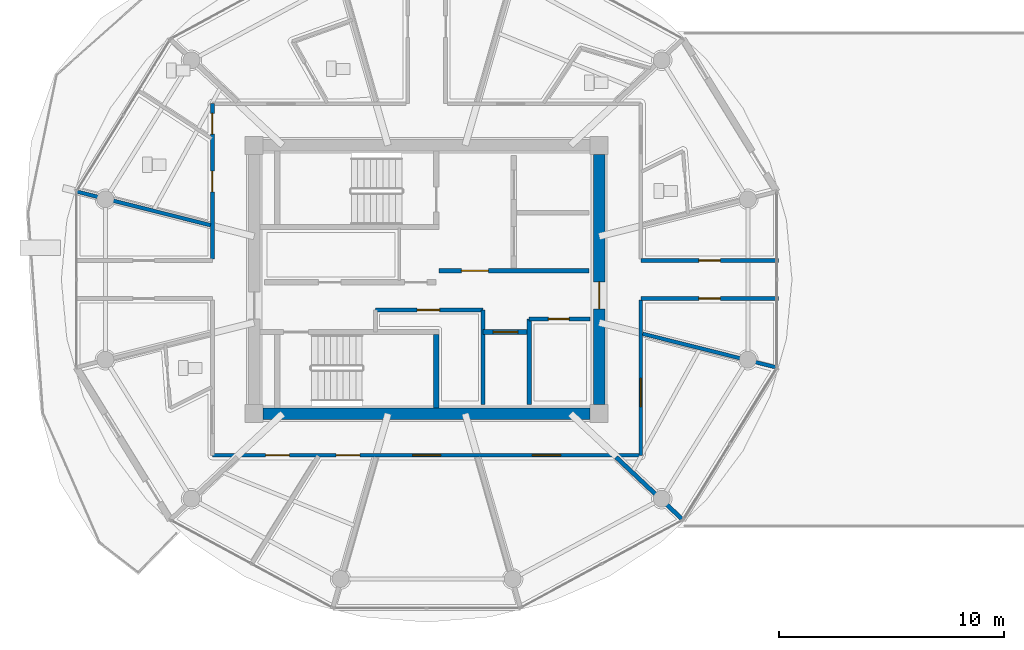
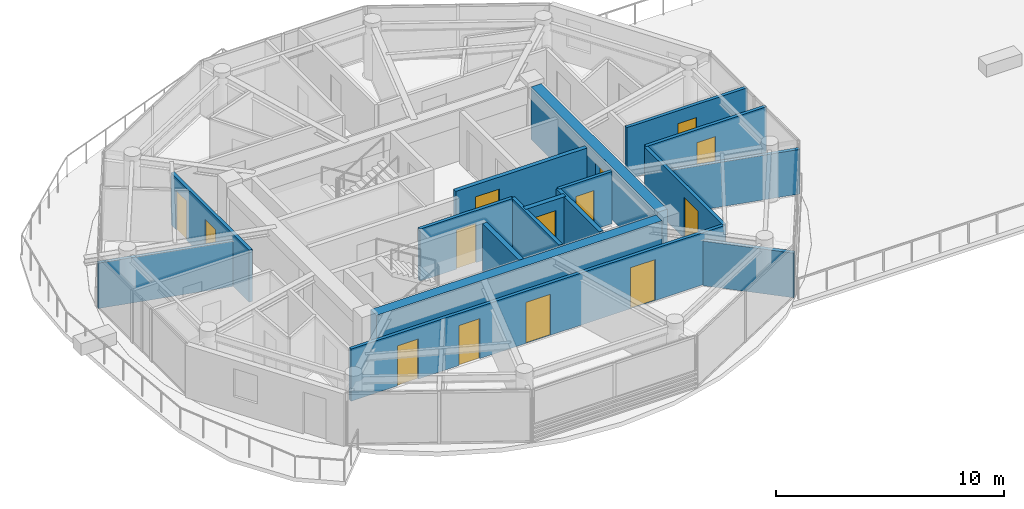
# One storey, part 14 of 30: 17 walls, 14 doors, 14 openings.
"""IFC4 building model written with IfcOpenShell, lengths in metres."""

from ifc_helpers import new_model, si_unit, direction, frame, frame_2d, origin, place, context, subcontext, project, spatial, rectangle, extrude, source, transform, mapped, material, layer, layer_set, type_object, type_shapes, element, fill, save


model = new_model("IFC4")

# Units and contexts
model_context = context("Model", 3, precision=1e-05, world=origin(), true_north=direction((0.0, 1.0)))
body_context = subcontext(model_context, "Body", "Model", "MODEL_VIEW")
ifc_project = project(units=[si_unit("LENGTHUNIT", "METRE"), si_unit("AREAUNIT", "SQUARE_METRE"), si_unit("VOLUMEUNIT", "CUBIC_METRE"), si_unit("PLANEANGLEUNIT", "RADIAN"), si_unit("MASSUNIT", "GRAM", prefix="KILO")], contexts=[model_context])

# Site, building, storey
site_placement = place(None, origin())
site = spatial("IfcSite", under=ifc_project, at=site_placement, CompositionType="ELEMENT")
building_placement = place(site_placement, origin())
building = spatial("IfcBuilding", under=site, at=building_placement, Name="Norrkilde Senior Care Towers", CompositionType="ELEMENT")
storey_placement = place(building_placement, frame((0.0, 0.0, 232.199951171875)))
storey = spatial("IfcBuildingStorey", under=building, at=storey_placement, Name="L72", CompositionType="ELEMENT", Elevation=232.199951171875)

# Wall
ifc_material_1 = material(Name="Concrete C50/60", Category="concrete")
ifc_layer_1 = layer(ifc_material_1, 0.52001953125)
ifc_layer_set_1 = layer_set([ifc_layer_1], Name="Concrete C50/60")
wall_type_1 = type_object("IfcWallType", Name="Core Shear Wall Z4 520", PredefinedType="SHEAR", material=ifc_layer_set_1)
shared_shape_1 = source(origin(), body_context, "Body", "SweptSolid", [
    extrude(rectangle(XDim=14.5, YDim=0.52001953125, at=frame_2d((7.25, 0.0))), origin(), (0.0, 0.0, 1.0), 2.81005859375),
])
wall_1_placement = place(storey_placement, frame((-20.75, -5.949951171875, 0.0), z_axis=(0.0, 0.0, 1.0), x_axis=(-1.0, 0.0, 0.0)))
element("IfcWall", 1, at=wall_1_placement, inside=storey, type_object=wall_type_1, Name="L72 Core W South Shear Wall", PredefinedType="SHEAR", context=body_context, shape_type="MappedRepresentation", body=[
    mapped(shared_shape_1, transform((0.0, 0.0, 0.0), x_axis=(1.0, 0.0, 0.0), y_axis=(0.0, 1.0, 0.0), z_axis=(0.0, 0.0, 1.0), scale=1.0)),
])

# Wall, opening, door
shared_shape_2 = source(origin(), body_context, "Body", "SweptSolid", [
    extrude(rectangle(XDim=11.10009765625, YDim=0.52001953125, at=frame_2d((5.550048828125, 0.0))), origin(), (0.0, 0.0, 1.0), 2.81005859375),
])
type_shapes(wall_type_1, [shared_shape_1, shared_shape_2])
wall_2_placement = place(storey_placement, frame((-20.35009765625, 5.550048828125, 0.0), z_axis=(0.0, 0.0, 1.0), x_axis=(0.0, -1.0, 0.0)))
wall_2 = element("IfcWall", 2, at=wall_2_placement, inside=storey, type_object=wall_type_1, Name="L72 Core W East Shear Wall", PredefinedType="SHEAR", context=body_context, shape_type="MappedRepresentation", body=[
    mapped(shared_shape_2, transform((0.0, 0.0, 0.0), x_axis=(1.0, 0.0, 0.0), y_axis=(0.0, 1.0, 0.0), z_axis=(0.0, 0.0, 1.0), scale=1.0)),
])
opening_1_placement = place(wall_2_placement, frame((5.64990234375, 0.0, 0.0)))
opening_1 = element("IfcOpeningElement", 3, at=opening_1_placement, cuts=wall_2, Name="Opening D-04", PredefinedType="OPENING", context=body_context, shape_type="SweptSolid", body=[
    extrude(rectangle(XDim=1.199951171875, YDim=2.14990234375, at=frame_2d((0.60009765625, 1.074951171875))), frame((0.0, 0.27001953125, 0.0), z_axis=(0.0, -1.0, 0.0), x_axis=(1.0, 0.0, 0.0)), (0.0, 0.0, 1.0), 0.5400390625),
])
ifc_material_2 = material(Name="Galvanised Painted Steel", Category="steel")
door_type_1 = type_object("IfcDoorType", Name="Firefighting Lobby Fire Door 1200x2150", OperationType="NOTDEFINED", PredefinedType="DOOR", material=ifc_material_2)
shared_shape_3 = source(origin(), body_context, "Body", "SweptSolid", [
    extrude(rectangle(XDim=1.199951171875, YDim=2.14990234375, at=frame_2d((0.60009765625, 1.074951171875))), frame((0.0, 0.02490234375, 0.0), z_axis=(0.0, -1.0, 0.0), x_axis=(1.0, 0.0, 0.0)), (0.0, 0.0, 1.0), 0.050048828125),
])
type_shapes(door_type_1, [shared_shape_3])
door_1_placement = place(opening_1_placement, frame((1.199951171875, 0.0, 0.0), z_axis=(0.0, 0.0, 1.0), x_axis=(-1.0, 0.0, 0.0)))
door_1 = element("IfcDoor", 4, at=door_1_placement, inside=storey, type_object=door_type_1, Name="L72 Core W East Portal Door", OperationType="SINGLE_SWING_RIGHT", OverallHeight=2.14990234375, OverallWidth=1.199951171875, PredefinedType="DOOR", context=body_context, shape_type="MappedRepresentation", body=[
    mapped(shared_shape_3, transform((0.0, 0.0, 0.0), x_axis=(1.0, 0.0, 0.0), y_axis=(0.0, 1.0, 0.0), z_axis=(0.0, 0.0, 1.0), scale=1.0)),
])
fill(opening_1, door_1)

ifc_material_3 = material(Name="Concrete C45/55", Category="concrete")
ifc_layer_2 = layer(ifc_material_3, 0.2099609375)
ifc_layer_set_2 = layer_set([ifc_layer_2], Name="Concrete C45/55")
wall_type_2 = type_object("IfcWallType", Name="Firefighting Lobby Wall 210", PredefinedType="PARTITIONING", material=ifc_layer_set_2)
shared_shape_4 = source(origin(), body_context, "Body", "SweptSolid", [
    extrude(rectangle(XDim=6.659912109375, YDim=0.2099609375, at=frame_2d((3.330078125, 0.0))), origin(), (0.0, 0.0, 1.0), 2.795166015625),
])
type_shapes(wall_type_2, [shared_shape_4])
wall_3_placement = place(storey_placement, frame((-27.4599609375, 0.389892578125, 0.0), z_axis=(0.0, 0.0, 1.0), x_axis=(1.0, 0.0, 0.0)))
wall_3 = element("IfcWall", 5, at=wall_3_placement, inside=storey, type_object=wall_type_2, Name="WL-INT-L72-W-FFLS", PredefinedType="PARTITIONING", context=body_context, shape_type="MappedRepresentation", body=[
    mapped(shared_shape_4, transform((0.0, 0.0, 0.0), x_axis=(1.0, 0.0, 0.0), y_axis=(0.0, 1.0, 0.0), z_axis=(0.0, 0.0, 1.0), scale=1.0)),
])
opening_2_placement = place(wall_3_placement, frame((1.0, 0.0, 0.0)))
opening_2 = element("IfcOpeningElement", 6, at=opening_2_placement, cuts=wall_3, Name="Opening D-04", PredefinedType="OPENING", context=body_context, shape_type="SweptSolid", body=[
    extrude(rectangle(XDim=1.199951171875, YDim=2.14990234375, at=frame_2d((0.60009765625, 1.074951171875))), frame((0.0, 0.114990234375, 0.0), z_axis=(0.0, -1.0, 0.0), x_axis=(1.0, 0.0, 0.0)), (0.0, 0.0, 1.0), 0.22998046875),
])
door_2_placement = place(opening_2_placement, frame((1.199951171875, 0.0, 0.0), z_axis=(0.0, 0.0, 1.0), x_axis=(-1.0, 0.0, 0.0)))
door_2 = element("IfcDoor", 7, at=door_2_placement, inside=storey, type_object=door_type_1, Name="L72 Firefighting Lobby W Door", OperationType="SINGLE_SWING_LEFT", OverallHeight=2.14990234375, OverallWidth=1.199951171875, PredefinedType="DOOR", context=body_context, shape_type="MappedRepresentation", body=[
    mapped(shared_shape_3, transform((0.0, 0.0, 0.0), x_axis=(1.0, 0.0, 0.0), y_axis=(0.0, 1.0, 0.0), z_axis=(0.0, 0.0, 1.0), scale=1.0)),
])
fill(opening_2, door_2)

# Wall
ifc_layer_3 = layer(ifc_material_3, 0.199951171875)
ifc_layer_set_3 = layer_set([ifc_layer_3], Name="Concrete C45/55")
wall_type_3 = type_object("IfcWallType", Name="Shaft Division and Plant Partition 200", PredefinedType="PARTITIONING", material=ifc_layer_set_3)
shared_shape_5 = source(origin(), body_context, "Body", "SweptSolid", [
    extrude(rectangle(XDim=3.800048828125, YDim=0.199951171875, at=frame_2d((1.89990234375, 0.0))), origin(), (0.0, 0.0, 1.0), 2.795166015625),
])
type_shapes(wall_type_3, [shared_shape_5])
wall_4_placement = place(storey_placement, frame((-23.449951171875, -5.550048828125, 0.0), z_axis=(0.0, 0.0, 1.0), x_axis=(0.0, 1.0, 0.0)))
element("IfcWall", 8, at=wall_4_placement, inside=storey, type_object=wall_type_3, Name="WL-INT-L72-W-PKBE", PredefinedType="PARTITIONING", context=body_context, shape_type="MappedRepresentation", body=[
    mapped(shared_shape_5, transform((0.0, 0.0, 0.0), x_axis=(1.0, 0.0, 0.0), y_axis=(0.0, 1.0, 0.0), z_axis=(0.0, 0.0, 1.0), scale=1.0)),
])

# Wall, opening, door
ifc_material_4 = material(Name="Gypsum Acoustic Board")
ifc_layer_4 = layer(ifc_material_4, 0.1650390625)
ifc_layer_set_4 = layer_set([ifc_layer_4], Name="Gypsum Acoustic Board")
wall_type_4 = type_object("IfcWallType", Name="Corridor Rated Partition 165", PredefinedType="PARTITIONING", material=ifc_layer_set_4)
shared_shape_6 = source(origin(), body_context, "Body", "SweptSolid", [
    extrude(rectangle(XDim=2.699951171875, YDim=0.1650390625, at=frame_2d((1.35009765625, 0.0))), origin(), (0.0, 0.0, 1.0), 2.795166015625),
])
wall_5_placement = place(storey_placement, frame((-23.449951171875, -1.75, 0.0), z_axis=(0.0, 0.0, 1.0), x_axis=(1.0, 0.0, 0.0)))
wall_5 = element("IfcWall", 9, at=wall_5_placement, inside=storey, type_object=wall_type_4, Name="WL-INT-L72-W-CSN", PredefinedType="PARTITIONING", context=body_context, shape_type="MappedRepresentation", body=[
    mapped(shared_shape_6, transform((0.0, 0.0, 0.0), x_axis=(1.0, 0.0, 0.0), y_axis=(0.0, 1.0, 0.0), z_axis=(0.0, 0.0, 1.0), scale=1.0)),
])
opening_3_placement = place(wall_5_placement, frame((0.85009765625, 0.0, 0.0)))
opening_3 = element("IfcOpeningElement", 10, at=opening_3_placement, cuts=wall_5, Name="Opening D-12", PredefinedType="OPENING", context=body_context, shape_type="SweptSolid", body=[
    extrude(rectangle(XDim=0.925048828125, YDim=2.10009765625, at=frame_2d((0.46240234375, 1.050048828125))), frame((0.0, 0.092529296875, 0.0), z_axis=(0.0, -1.0, 0.0), x_axis=(1.0, 0.0, 0.0)), (0.0, 0.0, 1.0), 0.18505859375),
])
door_type_2 = type_object("IfcDoorType", Name="Core Wet Room Rated Door 925x2100", OperationType="NOTDEFINED", PredefinedType="DOOR", material=ifc_material_2)
shared_shape_7 = source(origin(), body_context, "Body", "SweptSolid", [
    extrude(rectangle(XDim=0.925048828125, YDim=2.10009765625, at=frame_2d((0.46240234375, 1.050048828125))), frame((0.0, 0.02490234375, 0.0), z_axis=(0.0, -1.0, 0.0), x_axis=(1.0, 0.0, 0.0)), (0.0, 0.0, 1.0), 0.050048828125),
])
type_shapes(door_type_2, [shared_shape_7])
door_3_placement = place(opening_3_placement, origin())
door_3 = element("IfcDoor", 11, at=door_3_placement, inside=storey, type_object=door_type_2, Name="L72 Core Utility W Door", OperationType="SINGLE_SWING_LEFT", OverallHeight=2.10009765625, OverallWidth=0.925048828125, PredefinedType="DOOR", context=body_context, shape_type="MappedRepresentation", body=[
    mapped(shared_shape_7, transform((0.0, 0.0, 0.0), x_axis=(1.0, 0.0, 0.0), y_axis=(0.0, 1.0, 0.0), z_axis=(0.0, 0.0, 1.0), scale=1.0)),
])
fill(opening_3, door_3)

# Wall, openings, doors
shared_shape_8 = source(origin(), body_context, "Body", "SweptSolid", [
    extrude(rectangle(XDim=19.0, YDim=0.1650390625, at=frame_2d((9.5, 0.0))), origin(), (0.0, 0.0, 1.0), 2.795166015625),
])
wall_6_placement = place(storey_placement, frame((-18.5, -7.800048828125, 0.0), z_axis=(0.0, 0.0, 1.0), x_axis=(-1.0, 0.0, 0.0)))
wall_6 = element("IfcWall", 12, at=wall_6_placement, inside=storey, type_object=wall_type_4, Name="WL-INT-L72-W-CRW-S-0", PredefinedType="PARTITIONING", context=body_context, shape_type="MappedRepresentation", body=[
    mapped(shared_shape_8, transform((0.0, 0.0, 0.0), x_axis=(1.0, 0.0, 0.0), y_axis=(0.0, 1.0, 0.0), z_axis=(0.0, 0.0, 1.0), scale=1.0)),
])
opening_4_placement = place(wall_6_placement, frame((15.586181640625, 0.0, 0.0)))
opening_4 = element("IfcOpeningElement", 13, at=opening_4_placement, cuts=wall_6, Name="Opening D-06", PredefinedType="OPENING", context=body_context, shape_type="SweptSolid", body=[
    extrude(rectangle(XDim=1.050048828125, YDim=2.14990234375, at=frame_2d((0.52490234375, 1.074951171875))), frame((0.0, 0.092529296875, 0.0), z_axis=(0.0, -1.0, 0.0), x_axis=(1.0, 0.0, 0.0)), (0.0, 0.0, 1.0), 0.18505859375),
])
opening_5_placement = place(wall_6_placement, frame((12.465087890625, 0.0, 0.0)))
opening_5 = element("IfcOpeningElement", 14, at=opening_5_placement, cuts=wall_6, Name="Opening D-06", PredefinedType="OPENING", context=body_context, shape_type="SweptSolid", body=[
    extrude(rectangle(XDim=1.050048828125, YDim=2.14990234375, at=frame_2d((0.52490234375, 1.074951171875))), frame((0.0, 0.092529296875, 0.0), z_axis=(0.0, -1.0, 0.0), x_axis=(1.0, 0.0, 0.0)), (0.0, 0.0, 1.0), 0.18505859375),
])
opening_6_placement = place(wall_6_placement, frame((8.875, 0.0, 0.0)))
opening_6 = element("IfcOpeningElement", 15, at=opening_6_placement, cuts=wall_6, Name="Opening D-05", PredefinedType="OPENING", context=body_context, shape_type="SweptSolid", body=[
    extrude(rectangle(XDim=1.25, YDim=2.199951171875, at=frame_2d((0.625, 1.10009765625))), frame((0.0, 0.092529296875, 0.0), z_axis=(0.0, -1.0, 0.0), x_axis=(1.0, 0.0, 0.0)), (0.0, 0.0, 1.0), 0.18505859375),
])
opening_7_placement = place(wall_6_placement, frame((3.55859375, 0.0, 0.0)))
opening_7 = element("IfcOpeningElement", 16, at=opening_7_placement, cuts=wall_6, Name="Opening D-05", PredefinedType="OPENING", context=body_context, shape_type="SweptSolid", body=[
    extrude(rectangle(XDim=1.25, YDim=2.199951171875, at=frame_2d((0.625, 1.10009765625))), frame((0.0, 0.092529296875, 0.0), z_axis=(0.0, -1.0, 0.0), x_axis=(1.0, 0.0, 0.0)), (0.0, 0.0, 1.0), 0.18505859375),
])
ifc_material_5 = material(Name="Nordic Ash Timber", Category="wood")
door_type_3 = type_object("IfcDoorType", Name="Care Bedroom Bariatric Door 1250x2200", OperationType="NOTDEFINED", PredefinedType="DOOR", material=ifc_material_5)
shared_shape_9 = source(origin(), body_context, "Body", "SweptSolid", [
    extrude(rectangle(XDim=1.25, YDim=2.199951171875, at=frame_2d((0.625, 1.10009765625))), frame((0.0, 0.02490234375, 0.0), z_axis=(0.0, -1.0, 0.0), x_axis=(1.0, 0.0, 0.0)), (0.0, 0.0, 1.0), 0.050048828125),
])
type_shapes(door_type_3, [shared_shape_9])
door_4_placement = place(opening_6_placement, frame((1.25, 0.0, 0.0), z_axis=(0.0, 0.0, 1.0), x_axis=(-1.0, 0.0, 0.0)))
door_4 = element("IfcDoor", 17, at=door_4_placement, inside=storey, type_object=door_type_3, Name="L72 Resident Therapeutic Day Lounge Door", OperationType="SINGLE_SWING_LEFT", OverallHeight=2.199951171875, OverallWidth=1.25, PredefinedType="DOOR", context=body_context, shape_type="MappedRepresentation", body=[
    mapped(shared_shape_9, transform((0.0, 0.0, 0.0), x_axis=(1.0, 0.0, 0.0), y_axis=(0.0, 1.0, 0.0), z_axis=(0.0, 0.0, 1.0), scale=1.0)),
])
fill(opening_6, door_4)
door_5_placement = place(opening_7_placement, frame((1.25, 0.0, 0.0), z_axis=(0.0, 0.0, 1.0), x_axis=(-1.0, 0.0, 0.0)))
door_5 = element("IfcDoor", 18, at=door_5_placement, inside=storey, type_object=door_type_3, Name="L72 Household Communal Dining Salon Door", OperationType="SINGLE_SWING_RIGHT", OverallHeight=2.199951171875, OverallWidth=1.25, PredefinedType="DOOR", context=body_context, shape_type="MappedRepresentation", body=[
    mapped(shared_shape_9, transform((0.0, 0.0, 0.0), x_axis=(1.0, 0.0, 0.0), y_axis=(0.0, 1.0, 0.0), z_axis=(0.0, 0.0, 1.0), scale=1.0)),
])
fill(opening_7, door_5)
door_type_4 = type_object("IfcDoorType", Name="Apartment Entrance Fire Door 1050x2150", OperationType="NOTDEFINED", PredefinedType="DOOR", material=ifc_material_5)
shared_shape_10 = source(origin(), body_context, "Body", "SweptSolid", [
    extrude(rectangle(XDim=1.050048828125, YDim=2.14990234375, at=frame_2d((0.52490234375, 1.074951171875))), frame((0.0, 0.02490234375, 0.0), z_axis=(0.0, -1.0, 0.0), x_axis=(1.0, 0.0, 0.0)), (0.0, 0.0, 1.0), 0.050048828125),
])
type_shapes(door_type_4, [shared_shape_10])
door_6_placement = place(opening_4_placement, frame((1.050048828125, 0.0, 0.0), z_axis=(0.0, 0.0, 1.0), x_axis=(-1.0, 0.0, 0.0)))
door_6 = element("IfcDoor", 19, at=door_6_placement, inside=storey, type_object=door_type_4, Name="L72 Physiotherapy Clinic 7A Door", OperationType="SINGLE_SWING_RIGHT", OverallHeight=2.14990234375, OverallWidth=1.050048828125, PredefinedType="DOOR", context=body_context, shape_type="MappedRepresentation", body=[
    mapped(shared_shape_10, transform((0.0, 0.0, 0.0), x_axis=(1.0, 0.0, 0.0), y_axis=(0.0, 1.0, 0.0), z_axis=(0.0, 0.0, 1.0), scale=1.0)),
])
fill(opening_4, door_6)
door_7_placement = place(opening_5_placement, frame((1.050048828125, 0.0, 0.0), z_axis=(0.0, 0.0, 1.0), x_axis=(-1.0, 0.0, 0.0)))
door_7 = element("IfcDoor", 20, at=door_7_placement, inside=storey, type_object=door_type_4, Name="L72 Assessment Clinic 7B Door", OperationType="SINGLE_SWING_LEFT", OverallHeight=2.14990234375, OverallWidth=1.050048828125, PredefinedType="DOOR", context=body_context, shape_type="MappedRepresentation", body=[
    mapped(shared_shape_10, transform((0.0, 0.0, 0.0), x_axis=(1.0, 0.0, 0.0), y_axis=(0.0, 1.0, 0.0), z_axis=(0.0, 0.0, 1.0), scale=1.0)),
])
fill(opening_5, door_7)

shared_shape_11 = source(origin(), body_context, "Body", "SweptSolid", [
    extrude(rectangle(XDim=6.880126953125, YDim=0.1650390625, at=frame_2d((3.43994140625, 0.0))), origin(), (0.0, 0.0, 1.0), 2.795166015625),
])
wall_7_placement = place(storey_placement, frame((-37.5, 0.919921875, 0.0), z_axis=(0.0, 0.0, 1.0), x_axis=(0.0, 1.0, 0.0)))
wall_7 = element("IfcWall", 21, at=wall_7_placement, inside=storey, type_object=wall_type_4, Name="WL-INT-L72-W-CRW-W-1", PredefinedType="PARTITIONING", context=body_context, shape_type="MappedRepresentation", body=[
    mapped(shared_shape_11, transform((0.0, 0.0, 0.0), x_axis=(1.0, 0.0, 0.0), y_axis=(0.0, 1.0, 0.0), z_axis=(0.0, 0.0, 1.0), scale=1.0)),
])
opening_8_placement = place(wall_7_placement, frame((5.525146484375, 0.0, 0.0)))
opening_8 = element("IfcOpeningElement", 22, at=opening_8_placement, cuts=wall_7, Name="Opening D-08", PredefinedType="OPENING", context=body_context, shape_type="SweptSolid", body=[
    extrude(rectangle(XDim=0.919921875, YDim=2.10009765625, at=frame_2d((0.4599609375, 1.050048828125))), frame((0.0, 0.092529296875, 0.0), z_axis=(0.0, -1.0, 0.0), x_axis=(1.0, 0.0, 0.0)), (0.0, 0.0, 1.0), 0.18505859375),
])
opening_9_placement = place(wall_7_placement, frame((2.96240234375, 0.0, 0.0)))
opening_9 = element("IfcOpeningElement", 23, at=opening_9_placement, cuts=wall_7, Name="Opening D-08", PredefinedType="OPENING", context=body_context, shape_type="SweptSolid", body=[
    extrude(rectangle(XDim=0.919921875, YDim=2.10009765625, at=frame_2d((0.4599609375, 1.050048828125))), frame((0.0, 0.092529296875, 0.0), z_axis=(0.0, -1.0, 0.0), x_axis=(1.0, 0.0, 0.0)), (0.0, 0.0, 1.0), 0.18505859375),
])
door_type_5 = type_object("IfcDoorType", Name="Accessible Wet Room Door 920x2100", OperationType="NOTDEFINED", PredefinedType="DOOR", material=ifc_material_5)
shared_shape_12 = source(origin(), body_context, "Body", "SweptSolid", [
    extrude(rectangle(XDim=0.919921875, YDim=2.10009765625, at=frame_2d((0.4599609375, 1.050048828125))), frame((0.0, 0.02490234375, 0.0), z_axis=(0.0, -1.0, 0.0), x_axis=(1.0, 0.0, 0.0)), (0.0, 0.0, 1.0), 0.050048828125),
])
type_shapes(door_type_5, [shared_shape_12])
door_8_placement = place(opening_8_placement, frame((0.919921875, 0.0, 0.0), z_axis=(0.0, 0.0, 1.0), x_axis=(-1.0, 0.0, 0.0)))
door_8 = element("IfcDoor", 24, at=door_8_placement, inside=storey, type_object=door_type_5, Name="L72 Accessible Restroom Door", OperationType="SINGLE_SWING_LEFT", OverallHeight=2.10009765625, OverallWidth=0.919921875, PredefinedType="DOOR", context=body_context, shape_type="MappedRepresentation", body=[
    mapped(shared_shape_12, transform((0.0, 0.0, 0.0), x_axis=(1.0, 0.0, 0.0), y_axis=(0.0, 1.0, 0.0), z_axis=(0.0, 0.0, 1.0), scale=1.0)),
])
fill(opening_8, door_8)
door_9_placement = place(opening_9_placement, frame((0.919921875, 0.0, 0.0), z_axis=(0.0, 0.0, 1.0), x_axis=(-1.0, 0.0, 0.0)))
door_9 = element("IfcDoor", 25, at=door_9_placement, inside=storey, type_object=door_type_5, Name="L72 Public Restroom Door", OperationType="SINGLE_SWING_RIGHT", OverallHeight=2.10009765625, OverallWidth=0.919921875, PredefinedType="DOOR", context=body_context, shape_type="MappedRepresentation", body=[
    mapped(shared_shape_12, transform((0.0, 0.0, 0.0), x_axis=(1.0, 0.0, 0.0), y_axis=(0.0, 1.0, 0.0), z_axis=(0.0, 0.0, 1.0), scale=1.0)),
])
fill(opening_9, door_9)

# Wall, opening, door
wall_8_placement = place(storey_placement, frame((-18.5, -0.919921875, 0.0), z_axis=(0.0, 0.0, 1.0), x_axis=(0.0, -1.0, 0.0)))
wall_8 = element("IfcWall", 26, at=wall_8_placement, inside=storey, type_object=wall_type_4, Name="WL-INT-L72-W-CRW-E-1", PredefinedType="PARTITIONING", context=body_context, shape_type="MappedRepresentation", body=[
    mapped(shared_shape_11, transform((0.0, 0.0, 0.0), x_axis=(1.0, 0.0, 0.0), y_axis=(0.0, 1.0, 0.0), z_axis=(0.0, 0.0, 1.0), scale=1.0)),
])
opening_10_placement = place(wall_8_placement, frame((3.46435546875, 0.0, 0.0)))
opening_10 = element("IfcOpeningElement", 27, at=opening_10_placement, cuts=wall_8, Name="Opening D-05", PredefinedType="OPENING", context=body_context, shape_type="SweptSolid", body=[
    extrude(rectangle(XDim=1.25, YDim=2.199951171875, at=frame_2d((0.625, 1.10009765625))), frame((0.0, 0.092529296875, 0.0), z_axis=(0.0, -1.0, 0.0), x_axis=(1.0, 0.0, 0.0)), (0.0, 0.0, 1.0), 0.18505859375),
])
door_10_placement = place(opening_10_placement, frame((1.25, 0.0, 0.0), z_axis=(0.0, 0.0, 1.0), x_axis=(-1.0, 0.0, 0.0)))
door_10 = element("IfcDoor", 28, at=door_10_placement, inside=storey, type_object=door_type_3, Name="L72 Household Therapeutic Kitchen Door", OperationType="SINGLE_SWING_LEFT", OverallHeight=2.199951171875, OverallWidth=1.25, PredefinedType="DOOR", context=body_context, shape_type="MappedRepresentation", body=[
    mapped(shared_shape_9, transform((0.0, 0.0, 0.0), x_axis=(1.0, 0.0, 0.0), y_axis=(0.0, 1.0, 0.0), z_axis=(0.0, 0.0, 1.0), scale=1.0)),
])
fill(opening_10, door_10)

ifc_layer_5 = layer(ifc_material_3, 0.239990234375)
ifc_layer_set_5 = layer_set([ifc_layer_5], Name="Concrete C45/55")
wall_type_5 = type_object("IfcWallType", Name="Lift and Plant Rated Enclosure Partition 240", PredefinedType="PARTITIONING", material=ifc_layer_set_5)
shared_shape_13 = source(origin(), body_context, "Body", "SweptSolid", [
    extrude(rectangle(XDim=2.050048828125, YDim=0.239990234375, at=frame_2d((1.02490234375, 0.0))), origin(), (0.0, 0.0, 1.0), 2.795166015625),
])
type_shapes(wall_type_5, [shared_shape_13])
wall_9_placement = place(storey_placement, frame((-25.5, -2.330078125, 0.0), z_axis=(0.0, 0.0, 1.0), x_axis=(1.0, 0.0, 0.0)))
wall_9 = element("IfcWall", 29, at=wall_9_placement, inside=storey, type_object=wall_type_5, Name="WL-INT-L72-W-PL4N", PredefinedType="PARTITIONING", context=body_context, shape_type="MappedRepresentation", body=[
    mapped(shared_shape_13, transform((0.0, 0.0, 0.0), x_axis=(1.0, 0.0, 0.0), y_axis=(0.0, 1.0, 0.0), z_axis=(0.0, 0.0, 1.0), scale=1.0)),
])
opening_11_placement = place(wall_9_placement, frame((0.449951171875, 0.0, 0.0)))
opening_11 = element("IfcOpeningElement", 30, at=opening_11_placement, cuts=wall_9, Name="Opening LD-01", PredefinedType="OPENING", context=body_context, shape_type="SweptSolid", body=[
    extrude(rectangle(XDim=1.10009765625, YDim=2.199951171875, at=frame_2d((0.550048828125, 1.10009765625))), frame((0.0, 0.1298828125, 0.0), z_axis=(0.0, -1.0, 0.0), x_axis=(1.0, 0.0, 0.0)), (0.0, 0.0, 1.0), 0.260009765625),
])
ifc_material_6 = material(Name="Stainless Steel", Category="steel")
door_type_6 = type_object("IfcDoorType", Name="Lift Landing Sliding Door 1100x2200", OperationType="NOTDEFINED", PredefinedType="DOOR", material=ifc_material_6)
shared_shape_14 = source(origin(), body_context, "Body", "SweptSolid", [
    extrude(rectangle(XDim=1.10009765625, YDim=2.199951171875, at=frame_2d((0.550048828125, 1.10009765625))), frame((0.0, 0.02490234375, 0.0), z_axis=(0.0, -1.0, 0.0), x_axis=(1.0, 0.0, 0.0)), (0.0, 0.0, 1.0), 0.050048828125),
])
type_shapes(door_type_6, [shared_shape_14])
door_11_placement = place(opening_11_placement, frame((1.10009765625, 0.0, 0.0), z_axis=(0.0, 0.0, 1.0), x_axis=(-1.0, 0.0, 0.0)))
door_11 = element("IfcDoor", 31, at=door_11_placement, inside=storey, type_object=door_type_6, Name="L72 Passenger Lift W4 Landing Door", OperationType="SLIDING_TO_RIGHT", OverallHeight=2.199951171875, OverallWidth=1.10009765625, PredefinedType="DOOR", context=body_context, shape_type="MappedRepresentation", body=[
    mapped(shared_shape_14, transform((0.0, 0.0, 0.0), x_axis=(1.0, 0.0, 0.0), y_axis=(0.0, 1.0, 0.0), z_axis=(0.0, 0.0, 1.0), scale=1.0)),
])
fill(opening_11, door_11)

# Wall
ifc_layer_6 = layer(ifc_material_3, 0.179931640625)
ifc_layer_set_6 = layer_set([ifc_layer_6], Name="Concrete C45/55")
wall_type_6 = type_object("IfcWallType", Name="Hoistway Division Rated Partition 180", PredefinedType="PARTITIONING", material=ifc_layer_set_6)
shared_shape_15 = source(origin(), body_context, "Body", "SweptSolid", [
    extrude(rectangle(XDim=4.199951171875, YDim=0.179931640625, at=frame_2d((2.10009765625, 0.0))), origin(), (0.0, 0.0, 1.0), 2.795166015625),
])
type_shapes(wall_type_6, [shared_shape_15])
wall_10_placement = place(storey_placement, frame((-25.5, -5.550048828125, 0.0), z_axis=(0.0, 0.0, 1.0), x_axis=(0.0, 1.0, 0.0)))
element("IfcWall", 32, at=wall_10_placement, inside=storey, type_object=wall_type_6, Name="WL-INT-L72-W-PL4W", PredefinedType="PARTITIONING", context=body_context, shape_type="MappedRepresentation", body=[
    mapped(shared_shape_15, transform((0.0, 0.0, 0.0), x_axis=(1.0, 0.0, 0.0), y_axis=(0.0, 1.0, 0.0), z_axis=(0.0, 0.0, 1.0), scale=1.0)),
])

# Wall, opening, door
shared_shape_16 = source(origin(), body_context, "Body", "SweptSolid", [
    extrude(rectangle(XDim=4.77001953125, YDim=0.1650390625, at=frame_2d((2.385009765625, 0.0))), origin(), (0.0, 0.0, 1.0), 2.795166015625),
])
wall_11_placement = place(storey_placement, frame((-30.27001953125, -1.35009765625, 0.0), z_axis=(0.0, 0.0, 1.0), x_axis=(1.0, 0.0, 0.0)))
wall_11 = element("IfcWall", 33, at=wall_11_placement, inside=storey, type_object=wall_type_4, Name="WL-INT-L72-W-FR2N", PredefinedType="PARTITIONING", context=body_context, shape_type="MappedRepresentation", body=[
    mapped(shared_shape_16, transform((0.0, 0.0, 0.0), x_axis=(1.0, 0.0, 0.0), y_axis=(0.0, 1.0, 0.0), z_axis=(0.0, 0.0, 1.0), scale=1.0)),
])
opening_12_placement = place(wall_11_placement, frame((1.85009765625, 0.0, 0.0)))
opening_12 = element("IfcOpeningElement", 34, at=opening_12_placement, cuts=wall_11, Name="Opening D-10", PredefinedType="OPENING", context=body_context, shape_type="SweptSolid", body=[
    extrude(rectangle(XDim=1.0, YDim=2.10009765625, at=frame_2d((0.5, 1.050048828125))), frame((0.0, 0.092529296875, 0.0), z_axis=(0.0, -1.0, 0.0), x_axis=(1.0, 0.0, 0.0)), (0.0, 0.0, 1.0), 0.18505859375),
])
door_type_7 = type_object("IfcDoorType", Name="Plant and Riser Rated Door 1000x2100", OperationType="NOTDEFINED", PredefinedType="DOOR", material=ifc_material_2)
shared_shape_17 = source(origin(), body_context, "Body", "SweptSolid", [
    extrude(rectangle(XDim=1.0, YDim=2.10009765625, at=frame_2d((0.5, 1.050048828125))), frame((0.0, 0.02490234375, 0.0), z_axis=(0.0, -1.0, 0.0), x_axis=(1.0, 0.0, 0.0)), (0.0, 0.0, 1.0), 0.050048828125),
])
type_shapes(door_type_7, [shared_shape_17])
door_12_placement = place(opening_12_placement, origin())
door_12 = element("IfcDoor", 35, at=door_12_placement, inside=storey, type_object=door_type_7, Name="L72 Core Pantry W Door", OperationType="SINGLE_SWING_RIGHT", OverallHeight=2.10009765625, OverallWidth=1.0, PredefinedType="DOOR", context=body_context, shape_type="MappedRepresentation", body=[
    mapped(shared_shape_17, transform((0.0, 0.0, 0.0), x_axis=(1.0, 0.0, 0.0), y_axis=(0.0, 1.0, 0.0), z_axis=(0.0, 0.0, 1.0), scale=1.0)),
])
fill(opening_12, door_12)

# Walls
ifc_layer_7 = layer(ifc_material_3, 0.239990234375)
ifc_layer_set_7 = layer_set([ifc_layer_7], Name="Concrete C45/55")
wall_type_7 = type_object("IfcWallType", Name="Shaft and Stair Enclosure Wall 240", PredefinedType="PARTITIONING", material=ifc_layer_set_7)
shared_shape_18 = source(origin(), body_context, "Body", "SweptSolid", [
    extrude(rectangle(XDim=3.239990234375, YDim=0.239990234375, at=frame_2d((1.6201171875, 0.0))), origin(), (0.0, 0.0, 1.0), 2.81005859375),
])
type_shapes(wall_type_7, [shared_shape_18])
wall_12_placement = place(storey_placement, frame((-27.580078125, -5.68994140625, 0.0), z_axis=(0.0, 0.0, 1.0), x_axis=(0.0, 1.0, 0.0)))
element("IfcWall", 36, at=wall_12_placement, inside=storey, type_object=wall_type_7, Name="WL-INT-L72-W-ST2E", PredefinedType="PARTITIONING", context=body_context, shape_type="MappedRepresentation", body=[
    mapped(shared_shape_18, transform((0.0, 0.0, 0.0), x_axis=(1.0, 0.0, 0.0), y_axis=(0.0, 1.0, 0.0), z_axis=(0.0, 0.0, 1.0), scale=1.0)),
])
shared_shape_19 = source(origin(), body_context, "Body", "SweptSolid", [
    extrude(rectangle(XDim=6.1572265625, YDim=0.1650390625, at=frame_2d((3.07861328125, 0.0))), origin(), (0.0, 0.0, 1.0), 2.39501953125),
])
wall_13_placement = place(storey_placement, frame((-18.419921875, -2.407470703125, 0.0), z_axis=(0.0, 0.0, 1.0), x_axis=(0.969840867184, -0.243738984038, 0.0)))
element("IfcWall", 37, at=wall_13_placement, inside=storey, type_object=wall_type_4, Name="WL-INT-L72-W-DEM-11-0", PredefinedType="PARTITIONING", context=body_context, shape_type="MappedRepresentation", body=[
    mapped(shared_shape_19, transform((0.0, 0.0, 0.0), x_axis=(1.0, 0.0, 0.0), y_axis=(0.0, 1.0, 0.0), z_axis=(0.0, 0.0, 1.0), scale=1.0)),
])

# Wall, opening, door
shared_shape_20 = source(origin(), body_context, "Body", "SweptSolid", [
    extrude(rectangle(XDim=6.101318359375, YDim=0.1650390625, at=frame_2d((3.05078125, 0.0))), origin(), (0.0, 0.0, 1.0), 2.795166015625),
])
wall_14_placement = place(storey_placement, frame((-18.5, 0.840087890625, 0.0), z_axis=(0.0, 0.0, 1.0), x_axis=(1.0, 0.0, 0.0)))
wall_14 = element("IfcWall", 38, at=wall_14_placement, inside=storey, type_object=wall_type_4, Name="WL-INT-L72-W-SPK-E1-0", PredefinedType="PARTITIONING", context=body_context, shape_type="MappedRepresentation", body=[
    mapped(shared_shape_20, transform((0.0, 0.0, 0.0), x_axis=(1.0, 0.0, 0.0), y_axis=(0.0, 1.0, 0.0), z_axis=(0.0, 0.0, 1.0), scale=1.0)),
])
opening_13_placement = place(wall_14_placement, frame((2.57568359375, 0.0, 0.0)))
opening_13 = element("IfcOpeningElement", 39, at=opening_13_placement, cuts=wall_14, Name="Opening D-07", PredefinedType="OPENING", context=body_context, shape_type="SweptSolid", body=[
    extrude(rectangle(XDim=0.949951171875, YDim=2.10009765625, at=frame_2d((0.47509765625, 1.050048828125))), frame((0.0, 0.092529296875, 0.0), z_axis=(0.0, -1.0, 0.0), x_axis=(1.0, 0.0, 0.0)), (0.0, 0.0, 1.0), 0.18505859375),
])
door_type_8 = type_object("IfcDoorType", Name="Internal Suite Bedroom Door 950x2100", OperationType="NOTDEFINED", PredefinedType="DOOR", material=ifc_material_5)
shared_shape_21 = source(origin(), body_context, "Body", "SweptSolid", [
    extrude(rectangle(XDim=0.949951171875, YDim=2.10009765625, at=frame_2d((0.47509765625, 1.050048828125))), frame((0.0, 0.02490234375, 0.0), z_axis=(0.0, -1.0, 0.0), x_axis=(1.0, 0.0, 0.0)), (0.0, 0.0, 1.0), 0.050048828125),
])
type_shapes(door_type_8, [shared_shape_21])
door_13_placement = place(opening_13_placement, frame((0.949951171875, 0.0, 0.0), z_axis=(0.0, 0.0, 1.0), x_axis=(-1.0, 0.0, 0.0)))
door_13 = element("IfcDoor", 40, at=door_13_placement, inside=storey, type_object=door_type_8, Name="L72 Sun Reading Lounge 6 Door", OperationType="SINGLE_SWING_LEFT", OverallHeight=2.10009765625, OverallWidth=0.949951171875, PredefinedType="DOOR", context=body_context, shape_type="MappedRepresentation", body=[
    mapped(shared_shape_21, transform((0.0, 0.0, 0.0), x_axis=(1.0, 0.0, 0.0), y_axis=(0.0, 1.0, 0.0), z_axis=(0.0, 0.0, 1.0), scale=1.0)),
])
fill(opening_13, door_13)

wall_15_placement = place(storey_placement, frame((-12.398681640625, -0.840087890625, 0.0), z_axis=(0.0, 0.0, 1.0), x_axis=(-1.0, 0.0, 0.0)))
wall_15 = element("IfcWall", 41, at=wall_15_placement, inside=storey, type_object=wall_type_4, Name="WL-INT-L72-W-SPK-E2-0", PredefinedType="PARTITIONING", context=body_context, shape_type="MappedRepresentation", body=[
    mapped(shared_shape_20, transform((0.0, 0.0, 0.0), x_axis=(1.0, 0.0, 0.0), y_axis=(0.0, 1.0, 0.0), z_axis=(0.0, 0.0, 1.0), scale=1.0)),
])
opening_14_placement = place(wall_15_placement, frame((2.57568359375, 0.0, 0.0)))
opening_14 = element("IfcOpeningElement", 42, at=opening_14_placement, cuts=wall_15, Name="Opening D-07", PredefinedType="OPENING", context=body_context, shape_type="SweptSolid", body=[
    extrude(rectangle(XDim=0.949951171875, YDim=2.10009765625, at=frame_2d((0.47509765625, 1.050048828125))), frame((0.0, 0.092529296875, 0.0), z_axis=(0.0, -1.0, 0.0), x_axis=(1.0, 0.0, 0.0)), (0.0, 0.0, 1.0), 0.18505859375),
])
door_14_placement = place(opening_14_placement, frame((0.949951171875, 0.0, 0.0), z_axis=(0.0, 0.0, 1.0), x_axis=(-1.0, 0.0, 0.0)))
door_14 = element("IfcDoor", 43, at=door_14_placement, inside=storey, type_object=door_type_8, Name="L72 Sun Reading Lounge 5 Door", OperationType="SINGLE_SWING_RIGHT", OverallHeight=2.10009765625, OverallWidth=0.949951171875, PredefinedType="DOOR", context=body_context, shape_type="MappedRepresentation", body=[
    mapped(shared_shape_21, transform((0.0, 0.0, 0.0), x_axis=(1.0, 0.0, 0.0), y_axis=(0.0, 1.0, 0.0), z_axis=(0.0, 0.0, 1.0), scale=1.0)),
])
fill(opening_14, door_14)

# Walls
ifc_layer_8 = layer(ifc_material_4, 0.18994140625)
ifc_layer_set_8 = layer_set([ifc_layer_8], Name="Gypsum Acoustic Board")
wall_type_8 = type_object("IfcWallType", Name="Unit Demising Acoustic Wall 190", PredefinedType="PARTITIONING", material=ifc_layer_set_8)
shared_shape_22 = source(origin(), body_context, "Body", "SweptSolid", [
    extrude(rectangle(XDim=4.089111328125, YDim=0.18994140625, at=frame_2d((2.04443359375, 0.0))), origin(), (0.0, 0.0, 1.0), 2.39501953125),
])
type_shapes(wall_type_8, [shared_shape_22])
wall_16_placement = place(storey_placement, frame((-19.59814453125, -7.8798828125, 0.0), z_axis=(0.0, 0.0, 1.0), x_axis=(0.729401273609, -0.684086092577, 0.0)))
element("IfcWall", 44, at=wall_16_placement, inside=storey, type_object=wall_type_8, Name="WL-INT-L72-W-DEM-10-0", PredefinedType="PARTITIONING", context=body_context, shape_type="MappedRepresentation", body=[
    mapped(shared_shape_22, transform((0.0, 0.0, 0.0), x_axis=(1.0, 0.0, 0.0), y_axis=(0.0, 1.0, 0.0), z_axis=(0.0, 0.0, 1.0), scale=1.0)),
])
shared_shape_23 = source(origin(), body_context, "Body", "SweptSolid", [
    extrude(rectangle(XDim=6.1572265625, YDim=0.1650390625, at=frame_2d((3.07861328125, 0.0))), origin(), (0.0, 0.0, 1.0), 2.43505859375),
])
type_shapes(wall_type_4, [shared_shape_6, shared_shape_8, shared_shape_11, shared_shape_16, shared_shape_19, shared_shape_20, shared_shape_23])
wall_17_placement = place(storey_placement, frame((-37.580078125, 2.407470703125, 0.0), z_axis=(0.0, 0.0, 1.0), x_axis=(-0.969840867184, 0.243738984038, 0.0)))
element("IfcWall", 45, at=wall_17_placement, inside=storey, type_object=wall_type_4, Name="WL-INT-L72-W-DEM-05-0", PredefinedType="PARTITIONING", context=body_context, shape_type="MappedRepresentation", body=[
    mapped(shared_shape_23, transform((0.0, 0.0, 0.0), x_axis=(1.0, 0.0, 0.0), y_axis=(0.0, 1.0, 0.0), z_axis=(0.0, 0.0, 1.0), scale=1.0)),
])

save(model, "model.ifc")
